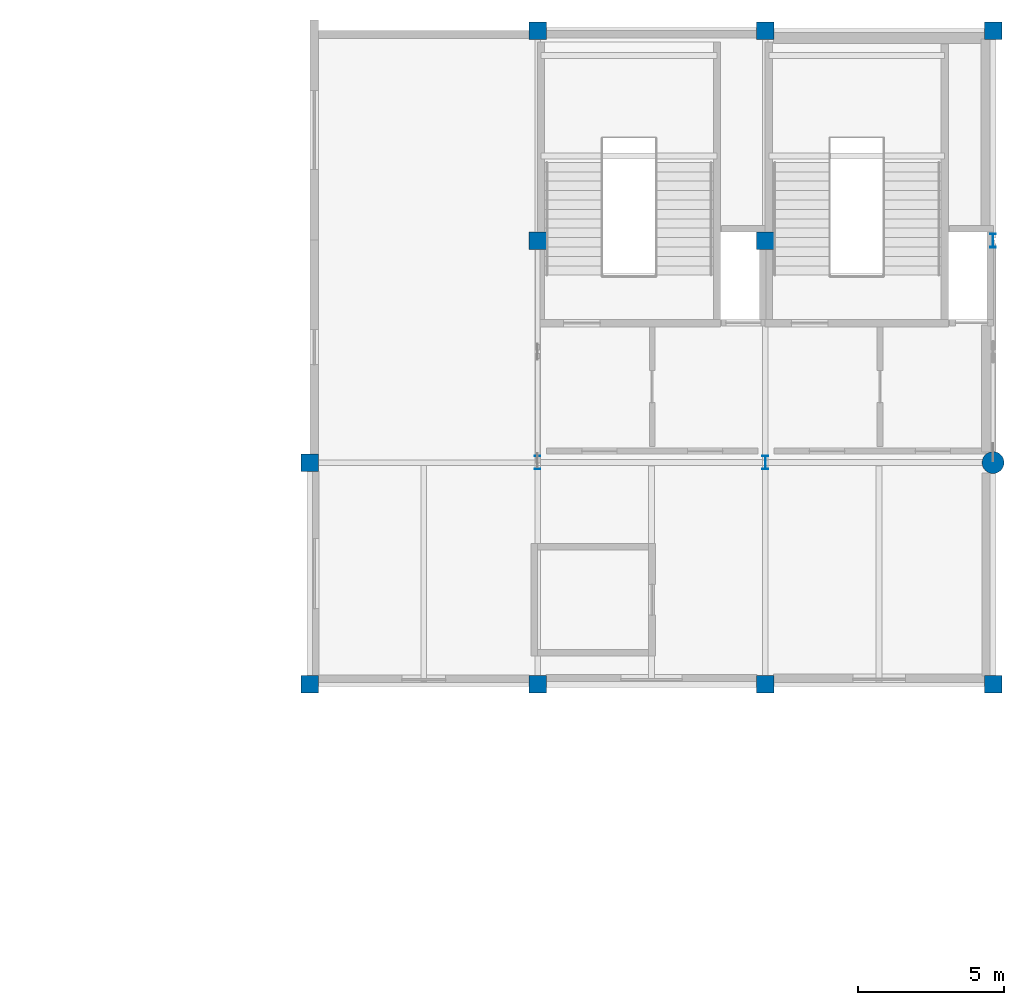
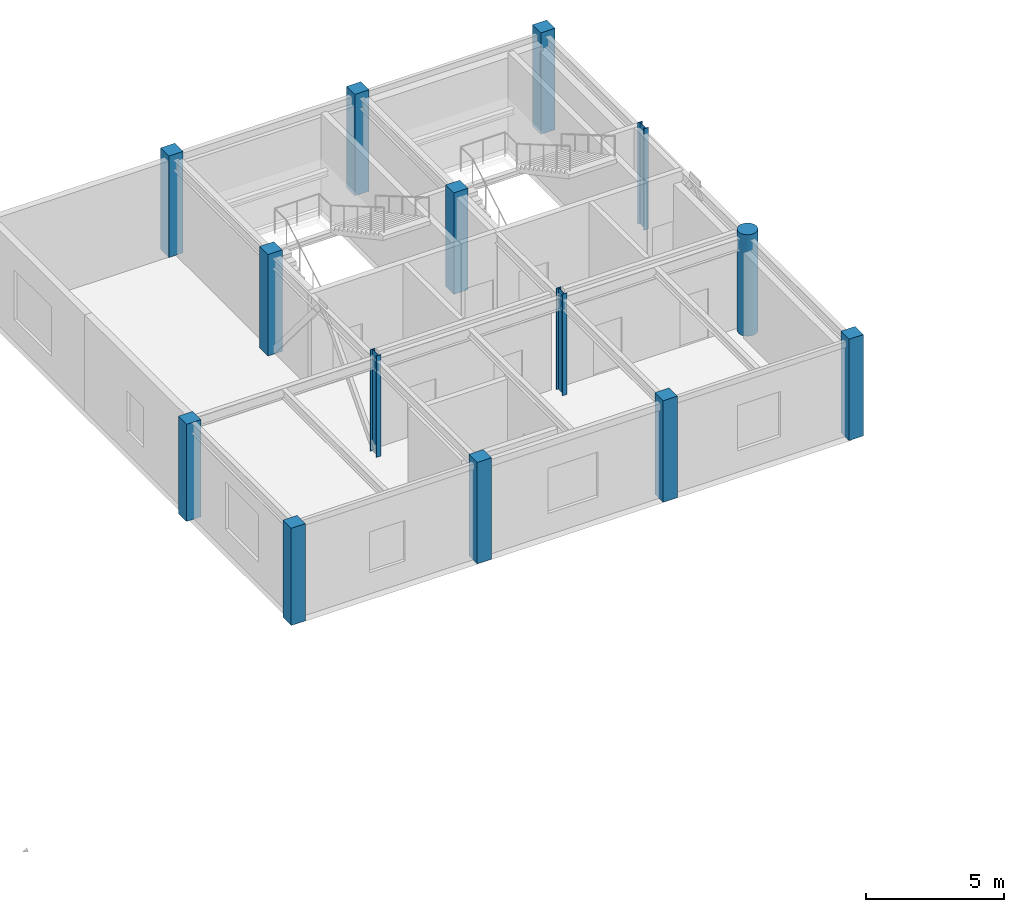
# One storey, part 8 of 28: 14 columns.
"""IFC4 building model written with IfcOpenShell, lengths in metres."""

from ifc_helpers import new_model, si_unit, direction, frame, origin, origin_2d, place, context, subcontext, project, spatial, rectangle, circle, i_section, extrude, material, material_profile, profile_set, type_object, element, save


model = new_model("IFC4")

# Units and contexts
model_context = context("Model", 3, precision=1e-05, world=origin(), true_north=direction((0.0, 1.0)))
body_context = subcontext(model_context, "Body", "Model", "MODEL_VIEW")
ifc_project = project(units=[si_unit("LENGTHUNIT", "METRE"), si_unit("AREAUNIT", "SQUARE_METRE"), si_unit("VOLUMEUNIT", "CUBIC_METRE"), si_unit("PLANEANGLEUNIT", "RADIAN"), si_unit("MASSUNIT", "GRAM", prefix="KILO")], contexts=[model_context])

# Site, building, storey
site_placement = place(None, origin())
site = spatial("IfcSite", under=ifc_project, at=site_placement, CompositionType="ELEMENT")
building_placement = place(site_placement, origin())
building = spatial("IfcBuilding", under=site, at=building_placement, Name="Xicomal Pleat Aquarium", CompositionType="ELEMENT")
storey_placement = place(building_placement, frame((0.0, 0.0, 15.300048828125)))
storey = spatial("IfcBuildingStorey", under=building, at=storey_placement, Name="L04", CompositionType="ELEMENT", Elevation=15.300048828125)

# Columns
ifc_material_1 = material(Name="Concrete C40/50", Category="concrete")
ifc_material_profile_1 = material_profile(ifc_material_1, rectangle(XDim=0.60009765625, YDim=0.60009765625, at=origin_2d()), Name="RC 600x600")
ifc_profile_set_1 = profile_set([ifc_material_profile_1], Name="Concrete C40/50")
column_type_1 = type_object("IfcColumnType", Name="COL-RC-600x600", PredefinedType="COLUMN", material=ifc_profile_set_1)
for number, where, z_axis, x_axis, name in (
    (1, (133.800048828125, 76.0, 0.0), (0.0, 0.0, 1.0), (1.0, 0.0, 0.0), "L04 column 17/L"),
    (2, (133.800048828125, 83.60009765625, 0.0), (0.0, 0.0, 1.0), (1.0, 0.0, 0.0), "L04 column 17/M"),
):
    element("IfcColumn", number, at=place(storey_placement, frame(where, z_axis=z_axis, x_axis=x_axis)), inside=storey, type_object=column_type_1, Name=name, PredefinedType="COLUMN", context=body_context, shape_type="SweptSolid", body=[
        extrude(rectangle(XDim=0.60009765625, YDim=0.60009765625, at=origin_2d()), origin(), (0.0, 0.0, 1.0), 4.31005859375),
    ])
for number, where, z_axis, x_axis, name in (
    (3, (141.60009765625, 76.0, 0.0), (0.0, 0.0, 1.0), (1.0, 0.0, 0.0), "L04 column 18/L"),
    (4, (141.60009765625, 91.199951171875, 0.0), (0.0, 0.0, 1.0), (1.0, 0.0, 0.0), "L04 column 18/N"),
    (5, (141.60009765625, 98.39990234375, 0.0), (0.0, 0.0, 1.0), (1.0, 0.0, 0.0), "L04 column 18/P"),
    (6, (149.39990234375, 76.0, 0.0), (0.0, 0.0, 1.0), (1.0, 0.0, 0.0), "L04 column 19/L"),
    (7, (149.39990234375, 91.199951171875, 0.0), (0.0, 0.0, 1.0), (1.0, 0.0, 0.0), "L04 column 19/N"),
    (8, (149.39990234375, 98.39990234375, 0.0), (0.0, 0.0, 1.0), (1.0, 0.0, 0.0), "L04 column 19/P"),
    (9, (157.199951171875, 76.0, 0.0), (0.0, 0.0, 1.0), (1.0, 0.0, 0.0), "L04 column 20/L"),
    (10, (157.199951171875, 98.39990234375, 0.0), (0.0, 0.0, 1.0), (1.0, 0.0, 0.0), "L04 column 20/P"),
):
    element("IfcColumn", number, at=place(storey_placement, frame(where, z_axis=z_axis, x_axis=x_axis)), inside=storey, type_object=column_type_1, Name=name, PredefinedType="COLUMN", context=body_context, shape_type="SweptSolid", body=[
        extrude(rectangle(XDim=0.60009765625, YDim=0.60009765625, at=origin_2d()), origin(), (0.0, 0.0, 1.0), 4.5),
    ])
ifc_material_2 = material(Name="Concrete C40/50", Category="concrete")
ifc_material_profile_2 = material_profile(ifc_material_2, circle(Radius=0.375, at=origin_2d()), Name="RCC D750")
ifc_profile_set_2 = profile_set([ifc_material_profile_2], Name="Concrete C40/50")
column_type_2 = type_object("IfcColumnType", Name="COL-RCC-D750", PredefinedType="COLUMN", material=ifc_profile_set_2)
column_placement = place(storey_placement, frame((157.199951171875, 83.60009765625, 0.0), z_axis=(0.0, 0.0, 1.0), x_axis=(1.0, 0.0, 0.0)))
element("IfcColumn", 11, at=column_placement, inside=storey, type_object=column_type_2, Name="L04 column 20/M", PredefinedType="COLUMN", context=body_context, shape_type="SweptSolid", body=[
    extrude(circle(Radius=0.375, at=origin_2d()), origin(), (0.0, 0.0, 1.0), 4.5),
])
ifc_material_3 = material(Name="Structural steel A992 Gr 50", Category="steel")
ifc_material_profile_3 = material_profile(ifc_material_3, i_section(OverallWidth=0.194091796875, OverallDepth=0.468994140625, WebThickness=0.0126953125, FlangeThickness=0.0205078125, at=origin_2d()), Name="IR 460x106")
ifc_profile_set_3 = profile_set([ifc_material_profile_3], Name="Structural steel A992 Gr 50")
column_type_3 = type_object("IfcColumnType", Name="COL-STL-IR460", PredefinedType="COLUMN", material=ifc_profile_set_3)
for number, where, z_axis, x_axis, name in (
    (12, (141.60009765625, 83.60009765625, 0.0), (0.0, 0.0, 1.0), (1.0, 0.0, 0.0), "L04 column 18/M"),
    (13, (149.39990234375, 83.60009765625, 0.0), (0.0, 0.0, 1.0), (1.0, 0.0, 0.0), "L04 column 19/M"),
    (14, (157.199951171875, 91.199951171875, 0.0), (0.0, 0.0, 1.0), (1.0, 0.0, 0.0), "L04 column 20/N"),
):
    element("IfcColumn", number, at=place(storey_placement, frame(where, z_axis=z_axis, x_axis=x_axis)), inside=storey, type_object=column_type_3, Name=name, PredefinedType="COLUMN", context=body_context, shape_type="SweptSolid", body=[
        extrude(i_section(OverallWidth=0.194091796875, OverallDepth=0.468994140625, WebThickness=0.0126953125, FlangeThickness=0.0205078125, at=origin_2d()), origin(), (0.0, 0.0, 1.0), 4.5),
    ])

save(model, "model.ifc")
